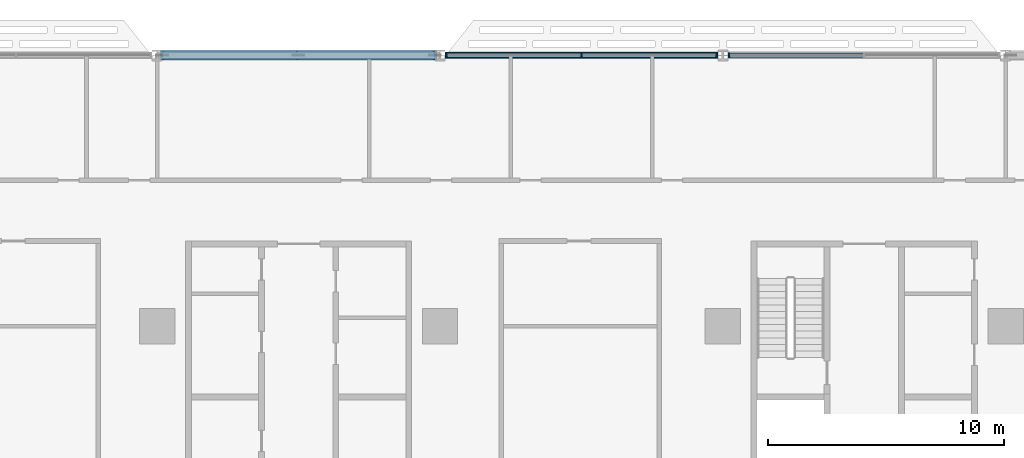
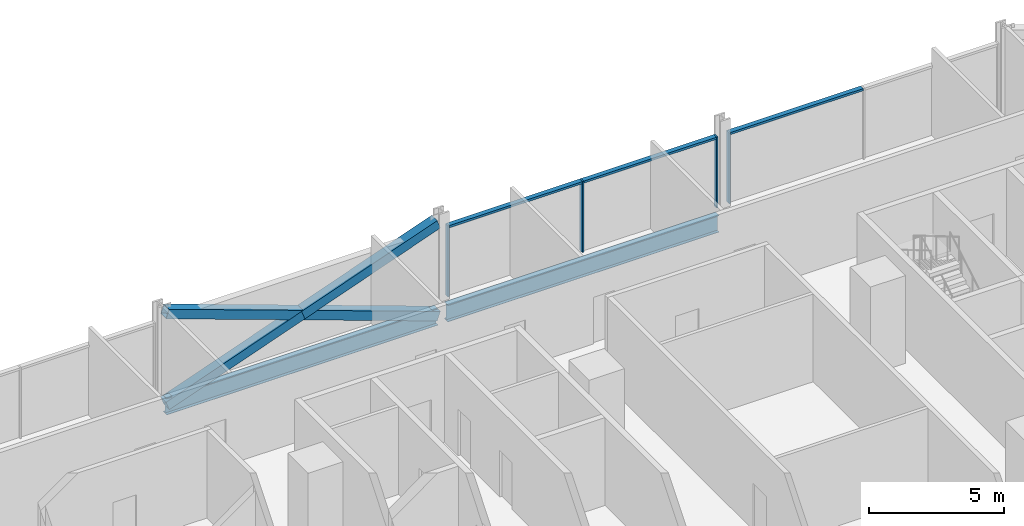
# One storey, part 7 of 30: 10 members, 2 beams, 2 elements without a shape of their own.
"""IFC4 building model written with IfcOpenShell, lengths in metres."""

from ifc_helpers import new_model, si_unit, direction, frame, origin, origin_2d, place, context, subcontext, project, spatial, rectangle, hollow_rectangle, i_section, extrude, material, material_profile, profile_set, type_object, element, aggregate, save


model = new_model("IFC4")

# Units and contexts
model_context = context("Model", 3, precision=1e-05, world=origin(), true_north=direction((0.0, 1.0)))
body_context = subcontext(model_context, "Body", "Model", "MODEL_VIEW")
ifc_project = project(units=[si_unit("LENGTHUNIT", "METRE"), si_unit("AREAUNIT", "SQUARE_METRE"), si_unit("VOLUMEUNIT", "CUBIC_METRE"), si_unit("PLANEANGLEUNIT", "RADIAN"), si_unit("MASSUNIT", "GRAM", prefix="KILO")], contexts=[model_context])

# Site, building, storey
site_placement = place(None, origin())
site = spatial("IfcSite", under=ifc_project, at=site_placement, CompositionType="ELEMENT")
building_placement = place(site_placement, origin())
building = spatial("IfcBuilding", under=site, at=building_placement, Name="Mahtab Terrace Research Tower", CompositionType="ELEMENT")
storey_placement = place(building_placement, frame((0.0, 0.0, 50.300048828125)))
storey = spatial("IfcBuildingStorey", under=building, at=storey_placement, Name="L11", CompositionType="ELEMENT", Elevation=50.300048828125)

# Members
ifc_material_1 = material(Name="Steel ASTM A500 Gr C", Category="steel")
ifc_material_profile_1 = material_profile(ifc_material_1, hollow_rectangle(XDim=0.406494140625, YDim=0.406494140625, WallThickness=0.01904296875, at=origin_2d()), Name="HSS16X16X3/4")
ifc_profile_set_1 = profile_set([ifc_material_profile_1], Name="Steel ASTM A500 Gr C")
member_type_1 = type_object("IfcMemberType", Name="HSS 16x16x3/4 brace XB161634", PredefinedType="BRACE", material=ifc_profile_set_1)
member_1_placement = place(storey_placement, frame((5.787841796875, 23.0, -0.642578125), z_axis=(-0.94138021482, 0.0, 0.33734743388), x_axis=(0.0, -1.0, 0.0)))
element("IfcMember", 1, at=member_1_placement, inside=storey, type_object=member_type_1, Name="Exoskeleton brace L11 05 a", PredefinedType="BRACE", context=body_context, shape_type="SweptSolid", body=[
    extrude(hollow_rectangle(XDim=0.406494140625, YDim=0.406494140625, WallThickness=0.01904296875, at=origin_2d()), origin(), (0.0, 0.0, 1.0), 12.29638671875),
])
for number, where, z_axis, x_axis, name in (
    (2, (-5.787841796875, 23.0, -0.642578125), (0.941386519928, 0.0, 0.337329838731), (0.0, 1.0, 0.0), "Exoskeleton brace L11 05 b1"),
    (3, (0.0, 23.0, 1.431396484375), (0.941373909467, 0.0, 0.337365028677), (0.0, 1.0, 0.0), "Exoskeleton brace L11 05 b2"),
):
    element("IfcMember", number, at=place(storey_placement, frame(where, z_axis=z_axis, x_axis=x_axis)), inside=storey, type_object=member_type_1, Name=name, PredefinedType="BRACE", context=body_context, shape_type="SweptSolid", body=[
        extrude(hollow_rectangle(XDim=0.406494140625, YDim=0.406494140625, WallThickness=0.01904296875, at=origin_2d()), origin(), (0.0, 0.0, 1.0), 6.148193359375),
    ])

# Curtain wall, member
ifc_material_2 = material(Name="Laboratory ribbon curtain wall")
curtain_wall_type = type_object("IfcCurtainWallType", Name="Laboratory ribbon curtain wall", PredefinedType="NOTDEFINED", material=ifc_material_2)
curtain_wall_1_placement = place(storey_placement, origin())
curtain_wall_1 = element("IfcCurtainWall", 4, at=curtain_wall_1_placement, inside=storey, type_object=curtain_wall_type, Name="EN.L11.3.5", PredefinedType="NOTDEFINED")
ifc_material_3 = material(Name="Natural anodised aluminium", Category="aluminium")
ifc_material_profile_2 = material_profile(ifc_material_3, rectangle(XDim=0.199951171875, YDim=0.06494140625, at=origin_2d()), Name="MULLION 65x200")
ifc_profile_set_2 = profile_set([ifc_material_profile_2], Name="Natural anodised aluminium")
member_type_2 = type_object("IfcMemberType", Name="Laboratory ribbon curtain wall mullion", PredefinedType="MULLION", material=ifc_profile_set_2)
member_2_placement = place(storey_placement, frame((18.2705078125, 23.0, 0.0), z_axis=(0.0, 0.0, 1.0), x_axis=(0.0, -1.0, 0.0)))
member_2 = element("IfcMember", 5, at=member_2_placement, type_object=member_type_2, Name="CWL-2 mullion 3", PredefinedType="MULLION", context=body_context, shape_type="SweptSolid", body=[
    extrude(rectangle(XDim=0.199951171875, YDim=0.06494140625, at=origin_2d()), origin(), (0.0, 0.0, 1.0), 3.203125),
])

# Curtain wall, members
curtain_wall_2_placement = place(storey_placement, origin())
curtain_wall_2 = element("IfcCurtainWall", 6, at=curtain_wall_2_placement, inside=storey, type_object=curtain_wall_type, Name="EN.L11.3.6", PredefinedType="NOTDEFINED")
member_3_placement = place(storey_placement, frame((17.7294921875, 23.0, 0.0), z_axis=(0.0, 0.0, 1.0), x_axis=(0.0, -1.0, 0.0)))
member_3 = element("IfcMember", 7, at=member_3_placement, type_object=member_type_2, Name="CWL-2 mullion 1", PredefinedType="MULLION", context=body_context, shape_type="SweptSolid", body=[
    extrude(rectangle(XDim=0.199951171875, YDim=0.06494140625, at=origin_2d()), origin(), (0.0, 0.0, 1.0), 3.203125),
])
member_4_placement = place(storey_placement, frame((12.0, 23.0, 0.0), z_axis=(0.0, 0.0, 1.0), x_axis=(0.0, -1.0, 0.0)))
member_4 = element("IfcMember", 8, at=member_4_placement, type_object=member_type_2, Name="CWL-2 mullion 2", PredefinedType="MULLION", context=body_context, shape_type="SweptSolid", body=[
    extrude(rectangle(XDim=0.199951171875, YDim=0.06494140625, at=origin_2d()), origin(), (0.0, 0.0, 1.0), 3.203125),
])
member_5_placement = place(storey_placement, frame((6.2705078125, 23.0, 0.0), z_axis=(0.0, 0.0, 1.0), x_axis=(0.0, -1.0, 0.0)))
member_5 = element("IfcMember", 9, at=member_5_placement, type_object=member_type_2, Name="CWL-2 mullion 3", PredefinedType="MULLION", context=body_context, shape_type="SweptSolid", body=[
    extrude(rectangle(XDim=0.199951171875, YDim=0.06494140625, at=origin_2d()), origin(), (0.0, 0.0, 1.0), 3.203125),
])

# Member
ifc_material_profile_3 = material_profile(ifc_material_3, rectangle(XDim=0.199951171875, YDim=0.10009765625, at=origin_2d()), Name="TRANSOM 100x200")
ifc_profile_set_3 = profile_set([ifc_material_profile_3], Name="Natural anodised aluminium")
member_type_3 = type_object("IfcMemberType", Name="Laboratory ribbon curtain wall transom", PredefinedType="USERDEFINED", material=ifc_profile_set_3)
member_6_placement = place(storey_placement, frame((23.967529296875, 23.0, 3.153076171875), z_axis=(-1.0, 0.0, 0.0), x_axis=(0.0, -1.0, 0.0)))
member_6 = element("IfcMember", 10, at=member_6_placement, type_object=member_type_3, Name="CWL-2 transom 2", ObjectType="TRANSOM", PredefinedType="USERDEFINED", context=body_context, shape_type="SweptSolid", body=[
    extrude(rectangle(XDim=0.199951171875, YDim=0.10009765625, at=origin_2d()), origin(), (0.0, 0.0, 1.0), 5.66455078125),
])

aggregate(curtain_wall_1, [member_2, member_6])

member_7_placement = place(storey_placement, frame((17.697021484375, 23.0, 3.153076171875), z_axis=(-1.0, 0.0, 0.0), x_axis=(0.0, -1.0, 0.0)))
member_7 = element("IfcMember", 11, at=member_7_placement, type_object=member_type_3, Name="CWL-2 transom 1", ObjectType="TRANSOM", PredefinedType="USERDEFINED", context=body_context, shape_type="SweptSolid", body=[
    extrude(rectangle(XDim=0.199951171875, YDim=0.10009765625, at=origin_2d()), origin(), (0.0, 0.0, 1.0), 5.66455078125),
])

member_8_placement = place(storey_placement, frame((11.967529296875, 23.0, 3.153076171875), z_axis=(-1.0, 0.0, 0.0), x_axis=(0.0, -1.0, 0.0)))
member_8 = element("IfcMember", 12, at=member_8_placement, type_object=member_type_3, Name="CWL-2 transom 2", ObjectType="TRANSOM", PredefinedType="USERDEFINED", context=body_context, shape_type="SweptSolid", body=[
    extrude(rectangle(XDim=0.199951171875, YDim=0.10009765625, at=origin_2d()), origin(), (0.0, 0.0, 1.0), 5.66455078125),
])

aggregate(curtain_wall_2, [member_3, member_4, member_5, member_7, member_8])

# Beams
ifc_material_4 = material(Name="Steel ASTM A992 Gr 50", Category="steel")
ifc_material_profile_4 = material_profile(ifc_material_4, i_section(OverallWidth=0.2666015625, OverallDepth=0.7568359375, WebThickness=0.013916015625, FlangeThickness=0.019287109375, at=origin_2d()), Name="W30X108")
ifc_profile_set_4 = profile_set([ifc_material_profile_4], Name="Steel ASTM A992 Gr 50")
beam_type = type_object("IfcBeamType", Name="W30x108 beam BS30108", PredefinedType="BEAM", material=ifc_profile_set_4)
for number, where, z_axis, x_axis, name in (
    (13, (17.787841796875, 23.0, -0.718505859375), (-1.0, 0.0, 0.0), (0.0, -1.0, 0.0), "Spandrel beam L11 04"),
    (14, (5.787841796875, 23.0, -0.718505859375), (-1.0, 0.0, 0.0), (0.0, -1.0, 0.0), "Spandrel beam L11 05"),
):
    element("IfcBeam", number, at=place(storey_placement, frame(where, z_axis=z_axis, x_axis=x_axis)), inside=storey, type_object=beam_type, Name=name, PredefinedType="BEAM", context=body_context, shape_type="SweptSolid", body=[
        extrude(i_section(OverallWidth=0.2666015625, OverallDepth=0.7568359375, WebThickness=0.013916015625, FlangeThickness=0.019287109375, at=origin_2d()), origin(), (0.0, 0.0, 1.0), 11.57568359375),
    ])

save(model, "model.ifc")
